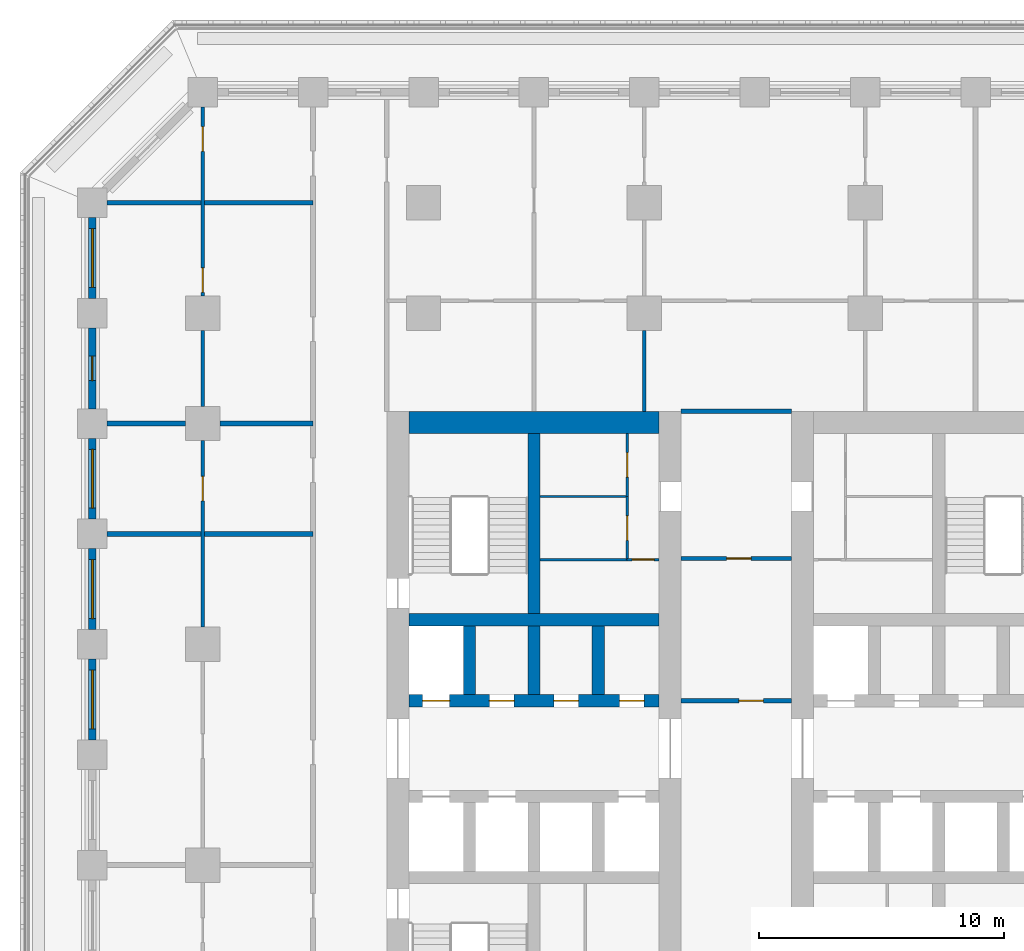
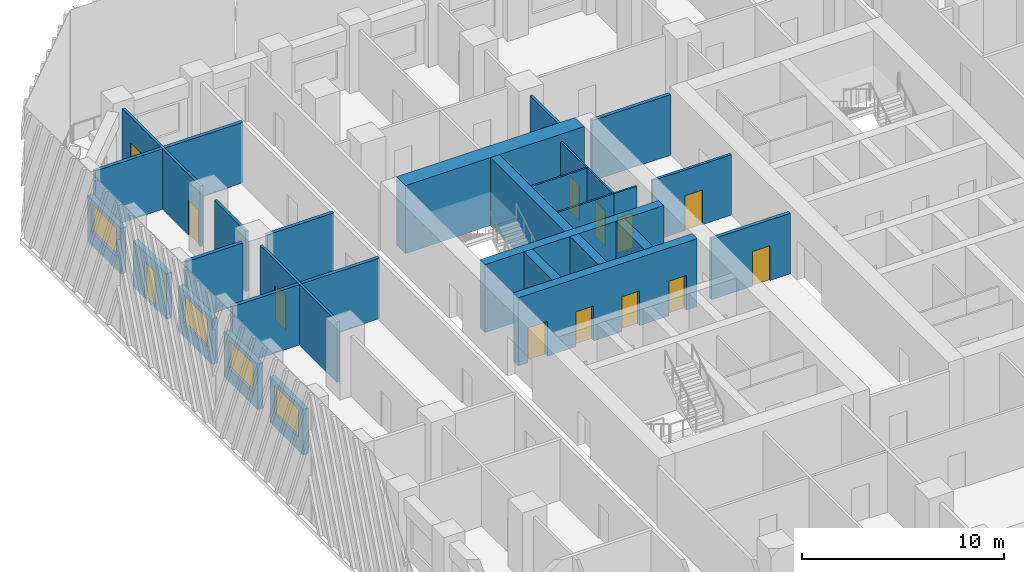
# One storey, part 7 of 20: 28 walls, 13 doors, 4 windows, 17 openings.
"""IFC4 building model written with IfcOpenShell, lengths in metres."""

from ifc_helpers import new_model, si_unit, direction, frame, frame_2d, origin, place, context, subcontext, project, spatial, rectangle, extrude, material, layer, layer_set, type_object, element, fill, save


model = new_model("IFC4")

# Units and contexts
model_context = context("Model", 3, precision=1e-05, world=origin(), true_north=direction((0.0, 1.0)))
body_context = subcontext(model_context, "Body", "Model", "MODEL_VIEW")
ifc_project = project(units=[si_unit("LENGTHUNIT", "METRE"), si_unit("AREAUNIT", "SQUARE_METRE"), si_unit("VOLUMEUNIT", "CUBIC_METRE"), si_unit("PLANEANGLEUNIT", "RADIAN"), si_unit("MASSUNIT", "GRAM", prefix="KILO")], contexts=[model_context])

# Site, building, storey
site_placement = place(None, origin())
site = spatial("IfcSite", under=ifc_project, at=site_placement, CompositionType="ELEMENT")
building_placement = place(site_placement, origin())
building = spatial("IfcBuilding", under=site, at=building_placement, Name="Corbel Stack Research Tower", CompositionType="ELEMENT")
storey_placement = place(building_placement, frame((0.0, 0.0, 98.39990234375)))
storey = spatial("IfcBuildingStorey", under=building, at=storey_placement, Name="L22", CompositionType="ELEMENT", Elevation=98.39990234375)

# Wall, openings, doors
ifc_material_1 = material(Name="Concrete C70/85", Category="concrete")
ifc_layer_1 = layer(ifc_material_1, 0.5)
ifc_layer_set_1 = layer_set([ifc_layer_1], Name="Concrete C70/85")
wall_type_1 = type_object("IfcWallType", Name="CW-500-70", PredefinedType="SHEAR", material=ifc_layer_set_1)
wall_1_placement = place(storey_placement, frame((-9.60009765625, 6.699951171875, 0.0), z_axis=(0.0, 0.0, 1.0), x_axis=(1.0, 0.0, 0.0)))
wall_1 = element("IfcWall", 1, at=wall_1_placement, inside=storey, type_object=wall_type_1, Name="West core wall, lobby north L22", PredefinedType="SHEAR", context=body_context, shape_type="SweptSolid", body=[
    extrude(rectangle(XDim=10.2001953125, YDim=0.5, at=frame_2d((5.10009765625, 0.0))), origin(), (0.0, 0.0, 1.0), 4.10009765625),
])
opening_1_placement = place(wall_1_placement, frame((0.5625, 0.0, 0.0)))
opening_1 = element("IfcOpeningElement", 2, at=opening_1_placement, cuts=wall_1, Name="Opening LD-LR2", PredefinedType="OPENING", context=body_context, shape_type="SweptSolid", body=[
    extrude(rectangle(XDim=1.10009765625, YDim=2.10009765625, at=frame_2d((0.550048828125, 1.050048828125))), frame((0.0, 0.260009765625, 0.0), z_axis=(0.0, -1.0, 0.0), x_axis=(1.0, 0.0, 0.0)), (0.0, 0.0, 1.0), 0.52001953125),
])
opening_2_placement = place(wall_1_placement, frame((3.28759765625, 0.0, 0.0)))
opening_2 = element("IfcOpeningElement", 3, at=opening_2_placement, cuts=wall_1, Name="Opening CR-W24-N2", PredefinedType="OPENING", context=body_context, shape_type="SweptSolid", body=[
    extrude(rectangle(XDim=1.0, YDim=2.10009765625, at=frame_2d((0.5, 1.050048828125))), frame((0.0, 0.260009765625, 0.0), z_axis=(0.0, -1.0, 0.0), x_axis=(1.0, 0.0, 0.0)), (0.0, 0.0, 1.0), 0.52001953125),
])
opening_3_placement = place(wall_1_placement, frame((5.91259765625, 0.0, 0.0)))
opening_3 = element("IfcOpeningElement", 4, at=opening_3_placement, cuts=wall_1, Name="Opening CR-W24-N3", PredefinedType="OPENING", context=body_context, shape_type="SweptSolid", body=[
    extrude(rectangle(XDim=1.0, YDim=2.10009765625, at=frame_2d((0.5, 1.050048828125))), frame((0.0, 0.260009765625, 0.0), z_axis=(0.0, -1.0, 0.0), x_axis=(1.0, 0.0, 0.0)), (0.0, 0.0, 1.0), 0.52001953125),
])
opening_4_placement = place(wall_1_placement, frame((8.58740234375, 0.0, 0.0)))
opening_4 = element("IfcOpeningElement", 5, at=opening_4_placement, cuts=wall_1, Name="Opening CR-W24-N4", PredefinedType="OPENING", context=body_context, shape_type="SweptSolid", body=[
    extrude(rectangle(XDim=1.0, YDim=2.10009765625, at=frame_2d((0.5, 1.050048828125))), frame((0.0, 0.260009765625, 0.0), z_axis=(0.0, -1.0, 0.0), x_axis=(1.0, 0.0, 0.0)), (0.0, 0.0, 1.0), 0.52001953125),
])
ifc_material_2 = material(Name="Stainless steel landing door", Category="steel")
door_type_1 = type_object("IfcDoorType", Name="Lift landing door 1100 x 2100", OperationType="DOUBLE_DOOR_SLIDING", PredefinedType="DOOR", material=ifc_material_2)
door_1_placement = place(opening_1_placement, origin())
door_1 = element("IfcDoor", 6, at=door_1_placement, inside=storey, type_object=door_type_1, Name="Landing door LR2", OperationType="DOUBLE_DOOR_SLIDING", OverallHeight=2.10009765625, OverallWidth=1.10009765625, PredefinedType="DOOR", context=body_context, shape_type="SweptSolid", body=[
    extrude(rectangle(XDim=1.10009765625, YDim=2.10009765625, at=frame_2d((0.550048828125, 1.050048828125))), frame((0.0, 0.02490234375, 0.0), z_axis=(0.0, -1.0, 0.0), x_axis=(1.0, 0.0, 0.0)), (0.0, 0.0, 1.0), 0.050048828125),
])
fill(opening_1, door_1)
ifc_material_3 = material(Name="Painted steel door", Category="steel")
door_type_2 = type_object("IfcDoorType", Name="Service door 1000 x 2100 FD60 left hand", OperationType="SINGLE_SWING_LEFT", PredefinedType="DOOR", material=ifc_material_3)
door_2_placement = place(opening_3_placement, origin())
door_2 = element("IfcDoor", 7, at=door_2_placement, inside=storey, type_object=door_type_2, Name="Laboratory consumables store door W core", OperationType="SINGLE_SWING_LEFT", OverallHeight=2.10009765625, OverallWidth=1.0, PredefinedType="DOOR", context=body_context, shape_type="SweptSolid", body=[
    extrude(rectangle(XDim=1.0, YDim=2.10009765625, at=frame_2d((0.5, 1.050048828125))), frame((0.0, 0.02490234375, 0.0), z_axis=(0.0, -1.0, 0.0), x_axis=(1.0, 0.0, 0.0)), (0.0, 0.0, 1.0), 0.050048828125),
])
fill(opening_3, door_2)
ifc_material_4 = material(Name="Painted steel door", Category="steel")
door_type_3 = type_object("IfcDoorType", Name="Service door 1000 x 2100 FD60 right hand", OperationType="SINGLE_SWING_RIGHT", PredefinedType="DOOR", material=ifc_material_4)
door_3_placement = place(opening_2_placement, origin())
door_3 = element("IfcDoor", 8, at=door_3_placement, inside=storey, type_object=door_type_3, Name="Staff WC door W core", OperationType="SINGLE_SWING_RIGHT", OverallHeight=2.10009765625, OverallWidth=1.0, PredefinedType="DOOR", context=body_context, shape_type="SweptSolid", body=[
    extrude(rectangle(XDim=1.0, YDim=2.10009765625, at=frame_2d((0.5, 1.050048828125))), frame((0.0, 0.02490234375, 0.0), z_axis=(0.0, -1.0, 0.0), x_axis=(1.0, 0.0, 0.0)), (0.0, 0.0, 1.0), 0.050048828125),
])
fill(opening_2, door_3)
door_4_placement = place(opening_4_placement, origin())
door_4 = element("IfcDoor", 9, at=door_4_placement, inside=storey, type_object=door_type_3, Name="Cleaner's store door W core", OperationType="SINGLE_SWING_RIGHT", OverallHeight=2.10009765625, OverallWidth=1.0, PredefinedType="DOOR", context=body_context, shape_type="SweptSolid", body=[
    extrude(rectangle(XDim=1.0, YDim=2.10009765625, at=frame_2d((0.5, 1.050048828125))), frame((0.0, 0.02490234375, 0.0), z_axis=(0.0, -1.0, 0.0), x_axis=(1.0, 0.0, 0.0)), (0.0, 0.0, 1.0), 0.050048828125),
])
fill(opening_4, door_4)

# Walls
wall_2_placement = place(storey_placement, frame((-9.60009765625, 10.0, 0.0), z_axis=(0.0, 0.0, 1.0), x_axis=(1.0, 0.0, 0.0)))
element("IfcWall", 10, at=wall_2_placement, inside=storey, type_object=wall_type_1, Name="West core wall, north row back L22", PredefinedType="SHEAR", context=body_context, shape_type="SweptSolid", body=[
    extrude(rectangle(XDim=10.2001953125, YDim=0.5, at=frame_2d((5.10009765625, 0.0))), origin(), (0.0, 0.0, 1.0), 4.10009765625),
])
for number, where, z_axis, x_axis, name in (
    (11, (-7.125, 6.949951171875, 0.0), (0.0, 0.0, 1.0), (0.0, 1.0, 0.0), "West core wall, north shaft 1 L22"),
    (12, (-4.5, 6.949951171875, 0.0), (0.0, 0.0, 1.0), (0.0, 1.0, 0.0), "West core wall, north shaft 2 L22"),
    (13, (-1.875, 6.949951171875, 0.0), (0.0, 0.0, 1.0), (0.0, 1.0, 0.0), "West core wall, north shaft 3 L22"),
):
    element("IfcWall", number, at=place(storey_placement, frame(where, z_axis=z_axis, x_axis=x_axis)), inside=storey, type_object=wall_type_1, Name=name, PredefinedType="SHEAR", context=body_context, shape_type="SweptSolid", body=[
        extrude(rectangle(XDim=2.800048828125, YDim=0.5, at=frame_2d((1.39990234375, 0.0))), origin(), (0.0, 0.0, 1.0), 4.10009765625),
    ])
wall_3_placement = place(storey_placement, frame((-4.5, 10.25, 0.0), z_axis=(0.0, 0.0, 1.0), x_axis=(0.0, 1.0, 0.0)))
element("IfcWall", 14, at=wall_3_placement, inside=storey, type_object=wall_type_1, Name="West core wall, north stair and riser L22", PredefinedType="SHEAR", context=body_context, shape_type="SweptSolid", body=[
    extrude(rectangle(XDim=7.35009765625, YDim=0.5, at=frame_2d((3.675048828125, 0.0))), origin(), (0.0, 0.0, 1.0), 4.10009765625),
])
ifc_material_5 = material(Name="Concrete C70/85", Category="concrete")
ifc_layer_2 = layer(ifc_material_5, 0.89990234375)
ifc_layer_set_2 = layer_set([ifc_layer_2], Name="Concrete C70/85")
wall_type_2 = type_object("IfcWallType", Name="CW-900-70", PredefinedType="SHEAR", material=ifc_layer_set_2)
wall_4_placement = place(storey_placement, frame((-9.60009765625, 18.050048828125, 0.0), z_axis=(0.0, 0.0, 1.0), x_axis=(1.0, 0.0, 0.0)))
element("IfcWall", 15, at=wall_4_placement, inside=storey, type_object=wall_type_2, Name="West core wall, north end L22", PredefinedType="SHEAR", context=body_context, shape_type="SweptSolid", body=[
    extrude(rectangle(XDim=10.2001953125, YDim=0.89990234375, at=frame_2d((5.10009765625, 0.0))), origin(), (0.0, 0.0, 1.0), 4.10009765625),
])

# Wall, opening, door
ifc_material_6 = material(Name="Gypsum board")
ifc_layer_3 = layer(ifc_material_6, 0.10009765625)
ifc_layer_set_3 = layer_set([ifc_layer_3], Name="Gypsum board")
wall_type_3 = type_object("IfcWallType", Name="Core partition 100", PredefinedType="PARTITIONING", material=ifc_layer_set_3)
wall_5_placement = place(storey_placement, frame((-0.699951171875, 12.455078125, 0.0), z_axis=(0.0, 0.0, 1.0), x_axis=(1.0, 0.0, 0.0)))
wall_5 = element("IfcWall", 16, at=wall_5_placement, inside=storey, type_object=wall_type_3, Name="Core partition W", PredefinedType="PARTITIONING", context=body_context, shape_type="SweptSolid", body=[
    extrude(rectangle(XDim=1.300048828125, YDim=0.10009765625, at=frame_2d((0.64990234375, 0.0))), origin(), (0.0, 0.0, 1.0), 3.650146484375),
])
opening_5_placement = place(wall_5_placement, frame((0.199951171875, 0.0, 0.0)))
opening_5 = element("IfcOpeningElement", 17, at=opening_5_placement, cuts=wall_5, Name="Opening CR-W24-R1-900", PredefinedType="OPENING", context=body_context, shape_type="SweptSolid", body=[
    extrude(rectangle(XDim=0.89990234375, YDim=2.10009765625, at=frame_2d((0.449951171875, 1.050048828125))), frame((0.0, 0.06005859375, 0.0), z_axis=(0.0, -1.0, 0.0), x_axis=(1.0, 0.0, 0.0)), (0.0, 0.0, 1.0), 0.1201171875),
])
ifc_material_7 = material(Name="Painted steel door", Category="steel")
door_type_4 = type_object("IfcDoorType", Name="Riser door 900 x 2100 FD60 left hand", OperationType="SINGLE_SWING_LEFT", PredefinedType="DOOR", material=ifc_material_7)
door_5_placement = place(opening_5_placement, origin())
door_5 = element("IfcDoor", 18, at=door_5_placement, inside=storey, type_object=door_type_4, Name="Electrical riser door W core", OperationType="SINGLE_SWING_LEFT", OverallHeight=2.10009765625, OverallWidth=0.89990234375, PredefinedType="DOOR", context=body_context, shape_type="SweptSolid", body=[
    extrude(rectangle(XDim=0.89990234375, YDim=2.10009765625, at=frame_2d((0.449951171875, 1.050048828125))), frame((0.0, 0.02490234375, 0.0), z_axis=(0.0, -1.0, 0.0), x_axis=(1.0, 0.0, 0.0)), (0.0, 0.0, 1.0), 0.050048828125),
])
fill(opening_5, door_5)

# Wall
wall_6_placement = place(storey_placement, frame((-4.25, 12.455078125, 0.0), z_axis=(0.0, 0.0, 1.0), x_axis=(1.0, 0.0, 0.0)))
element("IfcWall", 19, at=wall_6_placement, inside=storey, type_object=wall_type_3, Name="Core partition W", PredefinedType="PARTITIONING", context=body_context, shape_type="SweptSolid", body=[
    extrude(rectangle(XDim=3.550048828125, YDim=0.10009765625, at=frame_2d((1.77490234375, 0.0))), origin(), (0.0, 0.0, 1.0), 3.650146484375),
])

# Wall, opening, door
wall_7_placement = place(storey_placement, frame((-0.699951171875, 12.455078125, 0.0), z_axis=(0.0, 0.0, 1.0), x_axis=(0.0, 1.0, 0.0)))
wall_7 = element("IfcWall", 20, at=wall_7_placement, inside=storey, type_object=wall_type_3, Name="Core partition W", PredefinedType="PARTITIONING", context=body_context, shape_type="SweptSolid", body=[
    extrude(rectangle(XDim=2.572509765625, YDim=0.10009765625, at=frame_2d((1.2861328125, 0.0))), origin(), (0.0, 0.0, 1.0), 3.650146484375),
])
opening_6_placement = place(wall_7_placement, frame((0.786376953125, 0.0, 0.0)))
opening_6 = element("IfcOpeningElement", 21, at=opening_6_placement, cuts=wall_7, Name="Opening CR-W24-R3-1000", PredefinedType="OPENING", context=body_context, shape_type="SweptSolid", body=[
    extrude(rectangle(XDim=1.0, YDim=2.10009765625, at=frame_2d((0.5, 1.050048828125))), frame((0.0, 0.06005859375, 0.0), z_axis=(0.0, -1.0, 0.0), x_axis=(1.0, 0.0, 0.0)), (0.0, 0.0, 1.0), 0.1201171875),
])
ifc_material_8 = material(Name="Painted steel door", Category="steel")
door_type_5 = type_object("IfcDoorType", Name="Service door 1000 x 2100 FD30 left hand", OperationType="SINGLE_SWING_LEFT", PredefinedType="DOOR", material=ifc_material_8)
door_6_placement = place(opening_6_placement, origin())
door_6 = element("IfcDoor", 22, at=door_6_placement, inside=storey, type_object=door_type_5, Name="Pantry door W core", OperationType="SINGLE_SWING_LEFT", OverallHeight=2.10009765625, OverallWidth=1.0, PredefinedType="DOOR", context=body_context, shape_type="SweptSolid", body=[
    extrude(rectangle(XDim=1.0, YDim=2.10009765625, at=frame_2d((0.5, 1.050048828125))), frame((0.0, 0.02490234375, 0.0), z_axis=(0.0, -1.0, 0.0), x_axis=(1.0, 0.0, 0.0)), (0.0, 0.0, 1.0), 0.050048828125),
])
fill(opening_6, door_6)

wall_8_placement = place(storey_placement, frame((-0.699951171875, 15.027587890625, 0.0), z_axis=(0.0, 0.0, 1.0), x_axis=(0.0, 1.0, 0.0)))
wall_8 = element("IfcWall", 23, at=wall_8_placement, inside=storey, type_object=wall_type_3, Name="Core partition W", PredefinedType="PARTITIONING", context=body_context, shape_type="SweptSolid", body=[
    extrude(rectangle(XDim=2.572509765625, YDim=0.10009765625, at=frame_2d((1.2861328125, 0.0))), origin(), (0.0, 0.0, 1.0), 3.650146484375),
])
opening_7_placement = place(wall_8_placement, frame((0.7861328125, 0.0, 0.0)))
opening_7 = element("IfcOpeningElement", 24, at=opening_7_placement, cuts=wall_8, Name="Opening CR-W24-R4-1000", PredefinedType="OPENING", context=body_context, shape_type="SweptSolid", body=[
    extrude(rectangle(XDim=1.0, YDim=2.10009765625, at=frame_2d((0.5, 1.050048828125))), frame((0.0, 0.06005859375, 0.0), z_axis=(0.0, -1.0, 0.0), x_axis=(1.0, 0.0, 0.0)), (0.0, 0.0, 1.0), 0.1201171875),
])
ifc_material_9 = material(Name="Painted steel door", Category="steel")
door_type_6 = type_object("IfcDoorType", Name="Service door 1000 x 2100 FD30 right hand", OperationType="SINGLE_SWING_RIGHT", PredefinedType="DOOR", material=ifc_material_9)
door_7_placement = place(opening_7_placement, origin())
door_7 = element("IfcDoor", 25, at=door_7_placement, inside=storey, type_object=door_type_6, Name="Copy and supply store door W core", OperationType="SINGLE_SWING_RIGHT", OverallHeight=2.10009765625, OverallWidth=1.0, PredefinedType="DOOR", context=body_context, shape_type="SweptSolid", body=[
    extrude(rectangle(XDim=1.0, YDim=2.10009765625, at=frame_2d((0.5, 1.050048828125))), frame((0.0, 0.02490234375, 0.0), z_axis=(0.0, -1.0, 0.0), x_axis=(1.0, 0.0, 0.0)), (0.0, 0.0, 1.0), 0.050048828125),
])
fill(opening_7, door_7)

# Wall
wall_9_placement = place(storey_placement, frame((-4.25, 15.027587890625, 0.0), z_axis=(0.0, 0.0, 1.0), x_axis=(1.0, 0.0, 0.0)))
element("IfcWall", 26, at=wall_9_placement, inside=storey, type_object=wall_type_3, Name="Core partition W", PredefinedType="PARTITIONING", context=body_context, shape_type="SweptSolid", body=[
    extrude(rectangle(XDim=3.550048828125, YDim=0.10009765625, at=frame_2d((1.77490234375, 0.0))), origin(), (0.0, 0.0, 1.0), 3.650146484375),
])

# Wall, opening, door
ifc_material_10 = material(Name="Fire-rated gypsum board partition on steel studs", Category="steel")
ifc_layer_4 = layer(ifc_material_10, 0.199951171875)
ifc_layer_set_4 = layer_set([ifc_layer_4], Name="Fire-rated gypsum board partition on steel studs")
wall_type_4 = type_object("IfcWallType", Name="Fire-rated partition 200 EI 60", PredefinedType="PARTITIONING", material=ifc_layer_set_4)
wall_10_placement = place(storey_placement, frame((1.5, 6.699951171875, 0.0), z_axis=(0.0, 0.0, 1.0), x_axis=(1.0, 0.0, 0.0)))
wall_10 = element("IfcWall", 27, at=wall_10_placement, inside=storey, type_object=wall_type_4, Name="Partition L22-045", PredefinedType="PARTITIONING", context=body_context, shape_type="SweptSolid", body=[
    extrude(rectangle(XDim=4.5, YDim=0.199951171875, at=frame_2d((2.25, 0.0))), origin(), (0.0, 0.0, 1.0), 3.650146484375),
])
opening_8_placement = place(wall_10_placement, frame((2.35009765625, 0.0, 0.0)))
opening_8 = element("IfcOpeningElement", 28, at=opening_8_placement, cuts=wall_10, Name="Opening B3V2-028", PredefinedType="OPENING", context=body_context, shape_type="SweptSolid", body=[
    extrude(rectangle(XDim=1.0, YDim=2.10009765625, at=frame_2d((0.5, 1.050048828125))), frame((0.0, 0.10986328125, 0.0), z_axis=(0.0, -1.0, 0.0), x_axis=(1.0, 0.0, 0.0)), (0.0, 0.0, 1.0), 0.219970703125),
])
ifc_material_11 = material(Name="Painted steel fire door", Category="steel")
door_type_7 = type_object("IfcDoorType", Name="Fire door FD30S 1000 x 2100", OperationType="NOTDEFINED", PredefinedType="DOOR", material=ifc_material_11)
door_8_placement = place(opening_8_placement, origin())
door_8 = element("IfcDoor", 29, at=door_8_placement, inside=storey, type_object=door_type_7, Name="Door B3V2-028", OperationType="SINGLE_SWING_RIGHT", OverallHeight=2.10009765625, OverallWidth=1.0, PredefinedType="DOOR", context=body_context, shape_type="SweptSolid", body=[
    extrude(rectangle(XDim=1.0, YDim=2.10009765625, at=frame_2d((0.5, 1.050048828125))), frame((0.0, 0.02490234375, 0.0), z_axis=(0.0, -1.0, 0.0), x_axis=(1.0, 0.0, 0.0)), (0.0, 0.0, 1.0), 0.050048828125),
])
fill(opening_8, door_8)

# Walls
wall_11_placement = place(storey_placement, frame((-21.89990234375, 13.5, 0.0), z_axis=(0.0, 0.0, 1.0), x_axis=(1.0, 0.0, 0.0)))
element("IfcWall", 30, at=wall_11_placement, inside=storey, type_object=wall_type_4, Name="Partition L22-047", PredefinedType="PARTITIONING", context=body_context, shape_type="SweptSolid", body=[
    extrude(rectangle(XDim=8.39990234375, YDim=0.199951171875, at=frame_2d((4.199951171875, 0.0))), origin(), (0.0, 0.0, 1.0), 3.650146484375),
])
wall_12_placement = place(storey_placement, frame((-21.89990234375, 18.0, 0.0), z_axis=(0.0, 0.0, 1.0), x_axis=(1.0, 0.0, 0.0)))
element("IfcWall", 31, at=wall_12_placement, inside=storey, type_object=wall_type_4, Name="Partition L22-049", PredefinedType="PARTITIONING", context=body_context, shape_type="SweptSolid", body=[
    extrude(rectangle(XDim=3.199951171875, YDim=0.199951171875, at=frame_2d((1.60009765625, 0.0))), origin(), (0.0, 0.0, 1.0), 3.650146484375),
])
wall_13_placement = place(storey_placement, frame((-17.300048828125, 18.0, 0.0), z_axis=(0.0, 0.0, 1.0), x_axis=(1.0, 0.0, 0.0)))
element("IfcWall", 32, at=wall_13_placement, inside=storey, type_object=wall_type_4, Name="Partition L22-050", PredefinedType="PARTITIONING", context=body_context, shape_type="SweptSolid", body=[
    extrude(rectangle(XDim=3.800048828125, YDim=0.199951171875, at=frame_2d((1.89990234375, 0.0))), origin(), (0.0, 0.0, 1.0), 3.650146484375),
])
wall_14_placement = place(storey_placement, frame((1.5, 18.5, 0.0), z_axis=(0.0, 0.0, 1.0), x_axis=(1.0, 0.0, 0.0)))
element("IfcWall", 33, at=wall_14_placement, inside=storey, type_object=wall_type_4, Name="Partition L22-054", PredefinedType="PARTITIONING", context=body_context, shape_type="SweptSolid", body=[
    extrude(rectangle(XDim=4.5, YDim=0.199951171875, at=frame_2d((2.25, 0.0))), origin(), (0.0, 0.0, 1.0), 3.650146484375),
])
wall_15_placement = place(storey_placement, frame((-21.89990234375, 27.0, 0.0), z_axis=(0.0, 0.0, 1.0), x_axis=(1.0, 0.0, 0.0)))
element("IfcWall", 34, at=wall_15_placement, inside=storey, type_object=wall_type_4, Name="Partition L22-059", PredefinedType="PARTITIONING", context=body_context, shape_type="SweptSolid", body=[
    extrude(rectangle(XDim=8.39990234375, YDim=0.199951171875, at=frame_2d((4.199951171875, 0.0))), origin(), (0.0, 0.0, 1.0), 3.650146484375),
])

# Wall, opening, door
ifc_material_12 = material(Name="Gypsum board partition on steel studs", Category="steel")
ifc_layer_5 = layer(ifc_material_12, 0.14990234375)
ifc_layer_set_5 = layer_set([ifc_layer_5], Name="Gypsum board partition on steel studs")
wall_type_5 = type_object("IfcWallType", Name="Partition 150", PredefinedType="PARTITIONING", material=ifc_layer_set_5)
wall_16_placement = place(storey_placement, frame((-18.0, 9.699951171875, 0.0), z_axis=(0.0, 0.0, 1.0), x_axis=(0.0, 1.0, 0.0)))
wall_16 = element("IfcWall", 35, at=wall_16_placement, inside=storey, type_object=wall_type_5, Name="Partition L22-004", PredefinedType="PARTITIONING", context=body_context, shape_type="SweptSolid", body=[
    extrude(rectangle(XDim=7.60009765625, YDim=0.14990234375, at=frame_2d((3.800048828125, 0.0))), origin(), (0.0, 0.0, 1.0), 3.650146484375),
])
opening_9_placement = place(wall_16_placement, frame((5.14990234375, 0.0, 0.0)))
opening_9 = element("IfcOpeningElement", 36, at=opening_9_placement, cuts=wall_16, Name="Opening B3V2-006", PredefinedType="OPENING", context=body_context, shape_type="SweptSolid", body=[
    extrude(rectangle(XDim=1.0, YDim=2.10009765625, at=frame_2d((0.5, 1.050048828125))), frame((0.0, 0.0849609375, 0.0), z_axis=(0.0, -1.0, 0.0), x_axis=(1.0, 0.0, 0.0)), (0.0, 0.0, 1.0), 0.169921875),
])
ifc_material_13 = material(Name="Painted timber door", Category="wood")
door_type_8 = type_object("IfcDoorType", Name="Single door 1000 x 2100", OperationType="NOTDEFINED", PredefinedType="DOOR", material=ifc_material_13)
door_9_placement = place(opening_9_placement, origin())
door_9 = element("IfcDoor", 37, at=door_9_placement, inside=storey, type_object=door_type_8, Name="Door B3V2-006", OperationType="SINGLE_SWING_RIGHT", OverallHeight=2.10009765625, OverallWidth=1.0, PredefinedType="DOOR", context=body_context, shape_type="SweptSolid", body=[
    extrude(rectangle(XDim=1.0, YDim=2.10009765625, at=frame_2d((0.5, 1.050048828125))), frame((0.0, 0.02490234375, 0.0), z_axis=(0.0, -1.0, 0.0), x_axis=(1.0, 0.0, 0.0)), (0.0, 0.0, 1.0), 0.050048828125),
])
fill(opening_9, door_9)

# Wall
wall_17_placement = place(storey_placement, frame((-18.0, 18.699951171875, 0.0), z_axis=(0.0, 0.0, 1.0), x_axis=(0.0, 1.0, 0.0)))
element("IfcWall", 38, at=wall_17_placement, inside=storey, type_object=wall_type_5, Name="Partition L22-005", PredefinedType="PARTITIONING", context=body_context, shape_type="SweptSolid", body=[
    extrude(rectangle(XDim=3.10009765625, YDim=0.14990234375, at=frame_2d((1.550048828125, 0.0))), origin(), (0.0, 0.0, 1.0), 3.650146484375),
])

# Wall, openings, doors
wall_18_placement = place(storey_placement, frame((-18.0, 23.199951171875, 0.0), z_axis=(0.0, 0.0, 1.0), x_axis=(0.0, 1.0, 0.0)))
wall_18 = element("IfcWall", 39, at=wall_18_placement, inside=storey, type_object=wall_type_5, Name="Partition L22-006", PredefinedType="PARTITIONING", context=body_context, shape_type="SweptSolid", body=[
    extrude(rectangle(XDim=7.699951171875, YDim=0.14990234375, at=frame_2d((3.85009765625, 0.0))), origin(), (0.0, 0.0, 1.0), 3.650146484375),
])
opening_10_placement = place(wall_18_placement, frame((0.14990234375, 0.0, 0.0)))
opening_10 = element("IfcOpeningElement", 40, at=opening_10_placement, cuts=wall_18, Name="Opening B3V2-007", PredefinedType="OPENING", context=body_context, shape_type="SweptSolid", body=[
    extrude(rectangle(XDim=1.0, YDim=2.10009765625, at=frame_2d((0.5, 1.050048828125))), frame((0.0, 0.0849609375, 0.0), z_axis=(0.0, -1.0, 0.0), x_axis=(1.0, 0.0, 0.0)), (0.0, 0.0, 1.0), 0.169921875),
])
opening_11_placement = place(wall_18_placement, frame((5.89990234375, 0.0, 0.0)))
opening_11 = element("IfcOpeningElement", 41, at=opening_11_placement, cuts=wall_18, Name="Opening B3V2-008", PredefinedType="OPENING", context=body_context, shape_type="SweptSolid", body=[
    extrude(rectangle(XDim=1.0, YDim=2.10009765625, at=frame_2d((0.5, 1.050048828125))), frame((0.0, 0.0849609375, 0.0), z_axis=(0.0, -1.0, 0.0), x_axis=(1.0, 0.0, 0.0)), (0.0, 0.0, 1.0), 0.169921875),
])
door_10_placement = place(opening_10_placement, origin())
door_10 = element("IfcDoor", 42, at=door_10_placement, inside=storey, type_object=door_type_8, Name="Door B3V2-007", OperationType="SINGLE_SWING_LEFT", OverallHeight=2.10009765625, OverallWidth=1.0, PredefinedType="DOOR", context=body_context, shape_type="SweptSolid", body=[
    extrude(rectangle(XDim=1.0, YDim=2.10009765625, at=frame_2d((0.5, 1.050048828125))), frame((0.0, 0.02490234375, 0.0), z_axis=(0.0, -1.0, 0.0), x_axis=(1.0, 0.0, 0.0)), (0.0, 0.0, 1.0), 0.050048828125),
])
fill(opening_10, door_10)
door_11_placement = place(opening_11_placement, origin())
door_11 = element("IfcDoor", 43, at=door_11_placement, inside=storey, type_object=door_type_8, Name="Door B3V2-008", OperationType="SINGLE_SWING_RIGHT", OverallHeight=2.10009765625, OverallWidth=1.0, PredefinedType="DOOR", context=body_context, shape_type="SweptSolid", body=[
    extrude(rectangle(XDim=1.0, YDim=2.10009765625, at=frame_2d((0.5, 1.050048828125))), frame((0.0, 0.02490234375, 0.0), z_axis=(0.0, -1.0, 0.0), x_axis=(1.0, 0.0, 0.0)), (0.0, 0.0, 1.0), 0.050048828125),
])
fill(opening_11, door_11)

# Wall
wall_19_placement = place(storey_placement, frame((0.0, 18.5, 0.0), z_axis=(0.0, 0.0, 1.0), x_axis=(0.0, 1.0, 0.0)))
element("IfcWall", 44, at=wall_19_placement, inside=storey, type_object=wall_type_5, Name="Partition L22-012", PredefinedType="PARTITIONING", context=body_context, shape_type="SweptSolid", body=[
    extrude(rectangle(XDim=3.300048828125, YDim=0.14990234375, at=frame_2d((1.64990234375, 0.0))), origin(), (0.0, 0.0, 1.0), 3.650146484375),
])

# Wall, opening, door
wall_20_placement = place(storey_placement, frame((1.5, 12.5, 0.0), z_axis=(0.0, 0.0, 1.0), x_axis=(1.0, 0.0, 0.0)))
wall_20 = element("IfcWall", 45, at=wall_20_placement, inside=storey, type_object=wall_type_5, Name="Partition L22-046", PredefinedType="PARTITIONING", context=body_context, shape_type="SweptSolid", body=[
    extrude(rectangle(XDim=4.5, YDim=0.14990234375, at=frame_2d((2.25, 0.0))), origin(), (0.0, 0.0, 1.0), 3.650146484375),
])
opening_12_placement = place(wall_20_placement, frame((1.85009765625, 0.0, 0.0)))
opening_12 = element("IfcOpeningElement", 46, at=opening_12_placement, cuts=wall_20, Name="Opening B3V2-031", PredefinedType="OPENING", context=body_context, shape_type="SweptSolid", body=[
    extrude(rectangle(XDim=1.0, YDim=2.10009765625, at=frame_2d((0.5, 1.050048828125))), frame((0.0, 0.0849609375, 0.0), z_axis=(0.0, -1.0, 0.0), x_axis=(1.0, 0.0, 0.0)), (0.0, 0.0, 1.0), 0.169921875),
])
door_12_placement = place(opening_12_placement, origin())
door_12 = element("IfcDoor", 47, at=door_12_placement, inside=storey, type_object=door_type_8, Name="Door B3V2-031", OperationType="SINGLE_SWING_RIGHT", OverallHeight=2.10009765625, OverallWidth=1.0, PredefinedType="DOOR", context=body_context, shape_type="SweptSolid", body=[
    extrude(rectangle(XDim=1.0, YDim=2.10009765625, at=frame_2d((0.5, 1.050048828125))), frame((0.0, 0.02490234375, 0.0), z_axis=(0.0, -1.0, 0.0), x_axis=(1.0, 0.0, 0.0)), (0.0, 0.0, 1.0), 0.050048828125),
])
fill(opening_12, door_12)

# Wall, opening, window
ifc_material_14 = material(Name="Concrete C45/55", Category="concrete")
ifc_layer_6 = layer(ifc_material_14, 0.300048828125)
ifc_layer_set_6 = layer_set([ifc_layer_6], Name="Concrete C45/55")
wall_type_6 = type_object("IfcWallType", Name="Terracotta-faced concrete wall 300", PredefinedType="SOLIDWALL", material=ifc_layer_set_6)
wall_21_placement = place(storey_placement, frame((-22.5, 23.10009765625, 0.0), z_axis=(0.0, 0.0, 1.0), x_axis=(0.0, 1.0, 0.0)))
wall_21 = element("IfcWall", 48, at=wall_21_placement, inside=storey, type_object=wall_type_6, Name="Facade wall L22 W01", PredefinedType="SOLIDWALL", context=body_context, shape_type="SweptSolid", body=[
    extrude(rectangle(XDim=3.2998046875, YDim=0.300048828125, at=frame_2d((1.64990234375, 0.0))), origin(), (0.0, 0.0, 1.0), 2.75),
])
opening_13_placement = place(wall_21_placement, frame((0.449951171875, 0.0, 0.800048828125)))
opening_13 = element("IfcOpeningElement", 49, at=opening_13_placement, cuts=wall_21, Name="Opening W1", PredefinedType="OPENING", context=body_context, shape_type="SweptSolid", body=[
    extrude(rectangle(XDim=2.39990234375, YDim=1.699951171875, at=frame_2d((1.199951171875, 0.85009765625))), frame((0.0, 0.159912109375, 0.0), z_axis=(0.0, -1.0, 0.0), x_axis=(1.0, 0.0, 0.0)), (0.0, 0.0, 1.0), 0.320068359375),
])
ifc_material_15 = material(Name="Aluminium frame, clear double glazing", Category="aluminium")
window_type = type_object("IfcWindowType", Name="Window W1 2400 x 1700", PartitioningType="SINGLE_PANEL", PredefinedType="WINDOW", material=ifc_material_15)
window_1_placement = place(opening_13_placement, origin())
window_1 = element("IfcWindow", 50, at=window_1_placement, inside=storey, type_object=window_type, Name="Window W1 L22 W01", OverallHeight=1.699951171875, OverallWidth=2.39990234375, PartitioningType="SINGLE_PANEL", PredefinedType="WINDOW", context=body_context, shape_type="SweptSolid", body=[
    extrude(rectangle(XDim=2.39990234375, YDim=1.699951171875, at=frame_2d((1.199951171875, 0.85009765625))), frame((0.0, 0.030029296875, 0.0), z_axis=(0.0, -1.0, 0.0), x_axis=(1.0, 0.0, 0.0)), (0.0, 0.0, 1.0), 0.06005859375),
])
fill(opening_13, window_1)

# Wall, opening, door
wall_22_placement = place(storey_placement, frame((-22.5, 18.60009765625, 0.0), z_axis=(0.0, 0.0, 1.0), x_axis=(0.0, 1.0, 0.0)))
wall_22 = element("IfcWall", 51, at=wall_22_placement, inside=storey, type_object=wall_type_6, Name="Facade wall L22 W02", PredefinedType="SOLIDWALL", context=body_context, shape_type="SweptSolid", body=[
    extrude(rectangle(XDim=3.2998046875, YDim=0.300048828125, at=frame_2d((1.64990234375, 0.0))), origin(), (0.0, 0.0, 1.0), 2.75),
])
opening_14_placement = place(wall_22_placement, frame((1.14990234375, 0.0, 0.0)))
opening_14 = element("IfcOpeningElement", 52, at=opening_14_placement, cuts=wall_22, Name="Opening L22-B10", PredefinedType="OPENING", context=body_context, shape_type="SweptSolid", body=[
    extrude(rectangle(XDim=1.0, YDim=2.199951171875, at=frame_2d((0.5, 1.10009765625))), frame((0.0, 0.159912109375, 0.0), z_axis=(0.0, -1.0, 0.0), x_axis=(1.0, 0.0, 0.0)), (0.0, 0.0, 1.0), 0.320068359375),
])
ifc_material_16 = material(Name="Aluminium frame, clear double glazing", Category="aluminium")
door_type_9 = type_object("IfcDoorType", Name="Balcony door BD1 1000 x 2200", OperationType="NOTDEFINED", PredefinedType="DOOR", material=ifc_material_16)
door_13_placement = place(opening_14_placement, origin())
door_13 = element("IfcDoor", 53, at=door_13_placement, inside=storey, type_object=door_type_9, Name="Balcony door L22-B10", OperationType="SINGLE_SWING_RIGHT", OverallHeight=2.199951171875, OverallWidth=1.0, PredefinedType="DOOR", context=body_context, shape_type="SweptSolid", body=[
    extrude(rectangle(XDim=1.0, YDim=2.199951171875, at=frame_2d((0.5, 1.10009765625))), frame((0.0, 0.02490234375, 0.0), z_axis=(0.0, -1.0, 0.0), x_axis=(1.0, 0.0, 0.0)), (0.0, 0.0, 1.0), 0.050048828125),
])
fill(opening_14, door_13)

# Wall, opening, window
wall_23_placement = place(storey_placement, frame((-22.5, 14.10009765625, 0.0), z_axis=(0.0, 0.0, 1.0), x_axis=(0.0, 1.0, 0.0)))
wall_23 = element("IfcWall", 54, at=wall_23_placement, inside=storey, type_object=wall_type_6, Name="Facade wall L22 W03", PredefinedType="SOLIDWALL", context=body_context, shape_type="SweptSolid", body=[
    extrude(rectangle(XDim=3.2998046875, YDim=0.300048828125, at=frame_2d((1.64990234375, 0.0))), origin(), (0.0, 0.0, 1.0), 2.75),
])
opening_15_placement = place(wall_23_placement, frame((0.449951171875, 0.0, 0.800048828125)))
opening_15 = element("IfcOpeningElement", 55, at=opening_15_placement, cuts=wall_23, Name="Opening W1", PredefinedType="OPENING", context=body_context, shape_type="SweptSolid", body=[
    extrude(rectangle(XDim=2.39990234375, YDim=1.699951171875, at=frame_2d((1.199951171875, 0.85009765625))), frame((0.0, 0.159912109375, 0.0), z_axis=(0.0, -1.0, 0.0), x_axis=(1.0, 0.0, 0.0)), (0.0, 0.0, 1.0), 0.320068359375),
])
window_2_placement = place(opening_15_placement, origin())
window_2 = element("IfcWindow", 56, at=window_2_placement, inside=storey, type_object=window_type, Name="Window W1 L22 W03", OverallHeight=1.699951171875, OverallWidth=2.39990234375, PartitioningType="SINGLE_PANEL", PredefinedType="WINDOW", context=body_context, shape_type="SweptSolid", body=[
    extrude(rectangle(XDim=2.39990234375, YDim=1.699951171875, at=frame_2d((1.199951171875, 0.85009765625))), frame((0.0, 0.030029296875, 0.0), z_axis=(0.0, -1.0, 0.0), x_axis=(1.0, 0.0, 0.0)), (0.0, 0.0, 1.0), 0.06005859375),
])
fill(opening_15, window_2)

wall_24_placement = place(storey_placement, frame((-22.5, 9.60009765625, 0.0), z_axis=(0.0, 0.0, 1.0), x_axis=(0.0, 1.0, 0.0)))
wall_24 = element("IfcWall", 57, at=wall_24_placement, inside=storey, type_object=wall_type_6, Name="Facade wall L22 W04", PredefinedType="SOLIDWALL", context=body_context, shape_type="SweptSolid", body=[
    extrude(rectangle(XDim=3.2998046875, YDim=0.300048828125, at=frame_2d((1.64990234375, 0.0))), origin(), (0.0, 0.0, 1.0), 2.75),
])
opening_16_placement = place(wall_24_placement, frame((0.449951171875, 0.0, 0.800048828125)))
opening_16 = element("IfcOpeningElement", 58, at=opening_16_placement, cuts=wall_24, Name="Opening W1", PredefinedType="OPENING", context=body_context, shape_type="SweptSolid", body=[
    extrude(rectangle(XDim=2.39990234375, YDim=1.699951171875, at=frame_2d((1.199951171875, 0.85009765625))), frame((0.0, 0.159912109375, 0.0), z_axis=(0.0, -1.0, 0.0), x_axis=(1.0, 0.0, 0.0)), (0.0, 0.0, 1.0), 0.320068359375),
])
window_3_placement = place(opening_16_placement, origin())
window_3 = element("IfcWindow", 59, at=window_3_placement, inside=storey, type_object=window_type, Name="Window W1 L22 W04", OverallHeight=1.699951171875, OverallWidth=2.39990234375, PartitioningType="SINGLE_PANEL", PredefinedType="WINDOW", context=body_context, shape_type="SweptSolid", body=[
    extrude(rectangle(XDim=2.39990234375, YDim=1.699951171875, at=frame_2d((1.199951171875, 0.85009765625))), frame((0.0, 0.030029296875, 0.0), z_axis=(0.0, -1.0, 0.0), x_axis=(1.0, 0.0, 0.0)), (0.0, 0.0, 1.0), 0.06005859375),
])
fill(opening_16, window_3)

wall_25_placement = place(storey_placement, frame((-22.5, 5.10009765625, 0.0), z_axis=(0.0, 0.0, 1.0), x_axis=(0.0, 1.0, 0.0)))
wall_25 = element("IfcWall", 60, at=wall_25_placement, inside=storey, type_object=wall_type_6, Name="Facade wall L22 W05", PredefinedType="SOLIDWALL", context=body_context, shape_type="SweptSolid", body=[
    extrude(rectangle(XDim=3.2998046875, YDim=0.300048828125, at=frame_2d((1.64990234375, 0.0))), origin(), (0.0, 0.0, 1.0), 2.75),
])
opening_17_placement = place(wall_25_placement, frame((0.449951171875, 0.0, 0.800048828125)))
opening_17 = element("IfcOpeningElement", 61, at=opening_17_placement, cuts=wall_25, Name="Opening W1", PredefinedType="OPENING", context=body_context, shape_type="SweptSolid", body=[
    extrude(rectangle(XDim=2.39990234375, YDim=1.699951171875, at=frame_2d((1.199951171875, 0.85009765625))), frame((0.0, 0.159912109375, 0.0), z_axis=(0.0, -1.0, 0.0), x_axis=(1.0, 0.0, 0.0)), (0.0, 0.0, 1.0), 0.320068359375),
])
window_4_placement = place(opening_17_placement, origin())
window_4 = element("IfcWindow", 62, at=window_4_placement, inside=storey, type_object=window_type, Name="Window W1 L22 W05", OverallHeight=1.699951171875, OverallWidth=2.39990234375, PartitioningType="SINGLE_PANEL", PredefinedType="WINDOW", context=body_context, shape_type="SweptSolid", body=[
    extrude(rectangle(XDim=2.39990234375, YDim=1.699951171875, at=frame_2d((1.199951171875, 0.85009765625))), frame((0.0, 0.030029296875, 0.0), z_axis=(0.0, -1.0, 0.0), x_axis=(1.0, 0.0, 0.0)), (0.0, 0.0, 1.0), 0.06005859375),
])
fill(opening_17, window_4)

save(model, "model.ifc")
